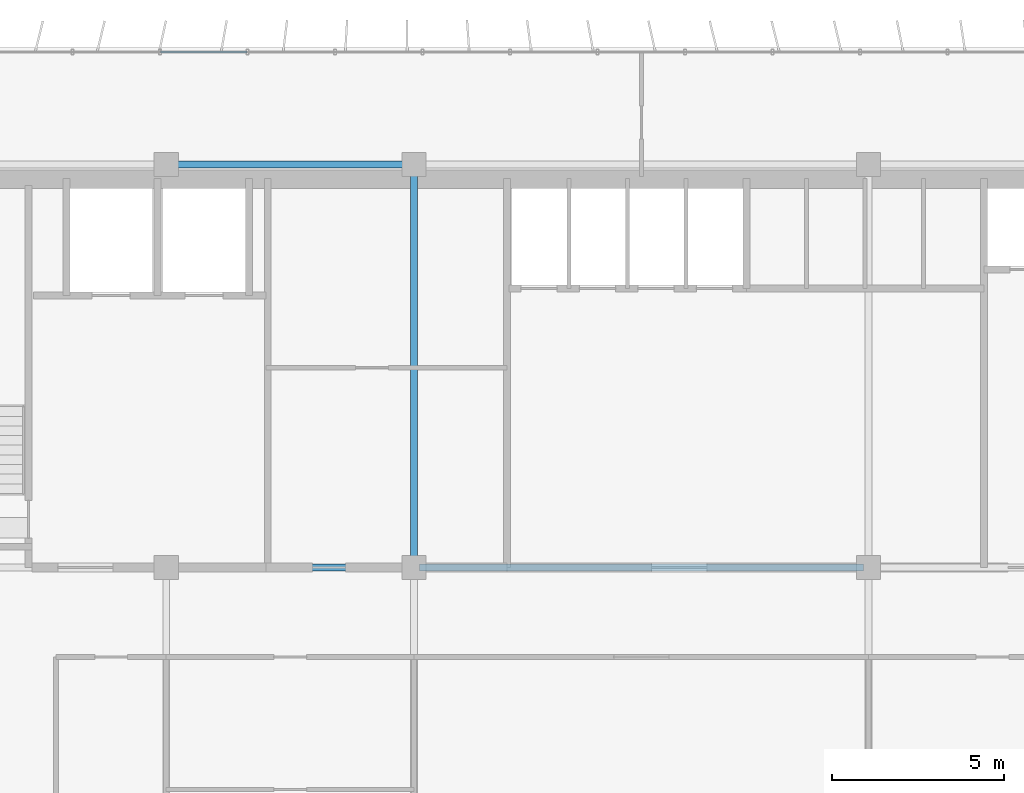
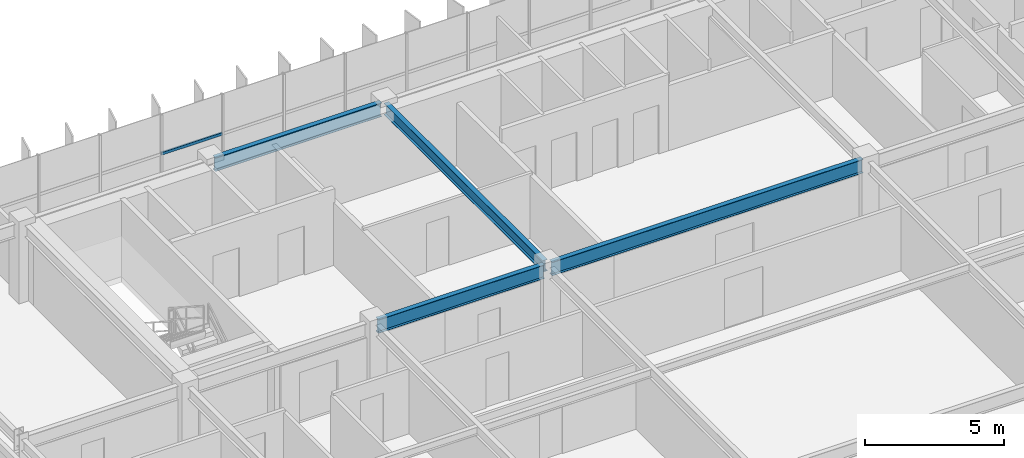
# One storey, part 5 of 20: 4 beams, 1 member, 1 element without a shape of its own.
"""IFC4 building model written with IfcOpenShell, lengths in metres."""

import ifcopenshell
import ifcopenshell.guid

model = None  # the IFC model being written
_history = None  # IfcOwnerHistory: only IFC2X3 demands one
_inside = {}  # id of a spatial element -> (the spatial element, [elements in it])
_under = {}  # id of a project, library or spatial element -> (it, [spatial elements below it])
_declared = {}  # id of a project -> (the project, [libraries it declares])
_typed = {}  # id of a type object -> (the type object, [elements of that type])
_made_of = {}  # id of a material, layer set ... -> (it, [elements and type objects made of it])


def new_model(schema):
    """Start an empty IFC model of exactly this schema.

    Asked for "IFC4X3", IfcOpenShell would pick the latest addendum, in which some entities
    have other attributes; the version numbers below select the first issue.
    IFC2X3 requires an IfcOwnerHistory on every rooted entity: one is made here for all.
    """
    global model, _history
    if schema == "IFC4X3":
        model = ifcopenshell.file(schema_version=(4, 3, 0, 0))
    else:
        model = ifcopenshell.file(schema=schema)
    _inside.clear()
    _under.clear()
    _declared.clear()
    _typed.clear()
    _made_of.clear()
    _history = None
    if model.schema == "IFC2X3":
        org = make("IfcOrganization", Name="unknown")
        user = make(
            "IfcPersonAndOrganization",
            ThePerson=make("IfcPerson", FamilyName="unknown"),
            TheOrganization=org,
        )
        app = make(
            "IfcApplication",
            ApplicationDeveloper=org,
            Version="unknown",
            ApplicationFullName="unknown",
            ApplicationIdentifier="unknown",
        )
        _history = make(
            "IfcOwnerHistory",
            OwningUser=user,
            OwningApplication=app,
            ChangeAction="ADDED",
            CreationDate=0,
        )
    return model


def make(cls, **values):
    """One entity of the class cls with the attributes given. An attribute that is None is left unset."""
    return model.create_entity(
        cls, **{name: value for name, value in values.items() if value is not None}
    )


def rooted(cls, **values):
    """An entity with a GlobalId (a new one), such as an element, a storey or a relation."""
    return make(cls, GlobalId=ifcopenshell.guid.new(), OwnerHistory=_history, **values)


def si_unit(unit_type, name, prefix=None):
    """IfcSIUnit, for example si_unit("LENGTHUNIT", "METRE", prefix="MILLI")."""
    return make("IfcSIUnit", UnitType=unit_type, Prefix=prefix, Name=name)


def assignment(units):
    """IfcUnitAssignment: the units of a project."""
    return None if units is None else make("IfcUnitAssignment", Units=units)


def point(xyz):
    """IfcCartesianPoint."""
    return None if xyz is None else make("IfcCartesianPoint", Coordinates=xyz)


def direction(xyz):
    """IfcDirection."""
    return None if xyz is None else make("IfcDirection", DirectionRatios=xyz)


def frame(location, z_axis=None, x_axis=None):
    """IfcAxis2Placement3D, a coordinate frame: its origin and axes. An axis left out is left unset."""
    return make(
        "IfcAxis2Placement3D",
        Location=point(location),
        Axis=direction(z_axis),
        RefDirection=direction(x_axis),
    )


def frame_2d(location, x_axis=None):
    """IfcAxis2Placement2D, a coordinate frame in the plane: its origin and x axis."""
    return make(
        "IfcAxis2Placement2D", Location=point(location), RefDirection=direction(x_axis)
    )


def origin():
    """The frame at (0, 0, 0) with its axes left unset."""
    return frame((0.0, 0.0, 0.0))


def origin_2d():
    """The frame at (0, 0) in the plane with its x axis left unset."""
    return frame_2d((0.0, 0.0))


def place(relative_to, where):
    """IfcLocalPlacement: puts the frame where relative to a parent placement (None: the world)."""
    return make(
        "IfcLocalPlacement", PlacementRelTo=relative_to, RelativePlacement=where
    )


def context(
    kind, dimensions, precision=None, world=None, true_north=None, identifier=None
):
    """IfcGeometricRepresentationContext, for example the 3D "Model" context."""
    return make(
        "IfcGeometricRepresentationContext",
        ContextIdentifier=identifier,
        ContextType=kind,
        CoordinateSpaceDimension=dimensions,
        Precision=precision,
        WorldCoordinateSystem=world,
        TrueNorth=true_north,
    )


def subcontext(parent, identifier, kind, view, scale=None):
    """IfcGeometricRepresentationSubContext, for example "Body" below "Model"."""
    return make(
        "IfcGeometricRepresentationSubContext",
        ContextIdentifier=identifier,
        ContextType=kind,
        ParentContext=parent,
        TargetScale=scale,
        TargetView=view,
    )


def project(units=None, contexts=None):
    """IfcProject with its units and contexts."""
    return rooted(
        "IfcProject",
        Name="project",
        RepresentationContexts=contexts,
        UnitsInContext=assignment(units),
    )


def spatial(cls, under=None, at=None, **own):
    """A site, building, storey or space (cls), placed at a placement, below another one or the project."""
    s = rooted(cls, ObjectPlacement=at, **own)
    if under is not None:
        _under.setdefault(under.id(), (under, []))[1].append(s)
    return s


def profile(cls, at=None, kind="AREA", **sizes):
    """A parametric profile (cls). Its sizes go by their IFC names, for example OverallWidth=200.0."""
    return make(cls, ProfileType=kind, Position=at, **sizes)


def hollow_rectangle(**sizes):
    """IfcRectangleHollowProfileDef."""
    return profile("IfcRectangleHollowProfileDef", **sizes)


def i_section(**sizes):
    """IfcIShapeProfileDef."""
    return profile("IfcIShapeProfileDef", **sizes)


def extrude(swept, where, along, depth):
    """IfcExtrudedAreaSolid: the profile swept, set in the frame where, extruded along a direction by depth."""
    return make(
        "IfcExtrudedAreaSolid",
        SweptArea=swept,
        Position=where,
        ExtrudedDirection=direction(along),
        Depth=depth,
    )


def shape(context_of_items, identifier, shape_type, items):
    """IfcShapeRepresentation: the items that make up one representation, for example the "Body"."""
    return make(
        "IfcShapeRepresentation",
        ContextOfItems=context_of_items,
        RepresentationIdentifier=identifier,
        RepresentationType=shape_type,
        Items=items,
    )


def source(mapping_origin, context_of_items, identifier, shape_type, items):
    """IfcRepresentationMap: a shape defined once, which mapped items show again and again."""
    return make(
        "IfcRepresentationMap",
        MappingOrigin=mapping_origin,
        MappedRepresentation=shape(context_of_items, identifier, shape_type, items),
    )


def transform(
    local_origin,
    x_axis=None,
    y_axis=None,
    z_axis=None,
    scale=None,
    scale2=None,
    scale3=None,
    uniform=True,
):
    """IfcCartesianTransformationOperator3D, or its non-uniform kind. x_axis, y_axis, z_axis: its Axis1, 2, 3."""
    if uniform:
        return make(
            "IfcCartesianTransformationOperator3D",
            Axis1=direction(x_axis),
            Axis2=direction(y_axis),
            LocalOrigin=point(local_origin),
            Scale=scale,
            Axis3=direction(z_axis),
        )
    return make(
        "IfcCartesianTransformationOperator3DnonUniform",
        Axis1=direction(x_axis),
        Axis2=direction(y_axis),
        LocalOrigin=point(local_origin),
        Scale=scale,
        Axis3=direction(z_axis),
        Scale2=scale2,
        Scale3=scale3,
    )


def mapped(mapping_source, mapping_target):
    """IfcMappedItem: shows the shape of a source again, moved by a transform."""
    return make(
        "IfcMappedItem", MappingSource=mapping_source, MappingTarget=mapping_target
    )


def material(Name=None, Category=None):
    """IfcMaterial."""
    return make("IfcMaterial", Name=Name, Category=Category)


def material_profile(
    of_material, cross_section, Name=None, Category=None, Priority=None
):
    """IfcMaterialProfile: a cross section and its material."""
    return make(
        "IfcMaterialProfile",
        Name=Name,
        Material=of_material,
        Profile=cross_section,
        Priority=Priority,
        Category=Category,
    )


def profile_set(profiles, Name=None, composite=None):
    """IfcMaterialProfileSet."""
    return make(
        "IfcMaterialProfileSet",
        Name=Name,
        MaterialProfiles=profiles,
        CompositeProfile=composite,
    )


def made_of(thing, what):
    """Note that an element or type object is made of a material, layer set ...; save() writes the relation."""
    if what is not None:
        _made_of.setdefault(what.id(), (what, []))[1].append(thing)
    return thing


def type_object(cls, material=None, **own):
    """A type object (cls), such as IfcWallType, which elements share."""
    return made_of(rooted(cls, **own), material)


def element(
    cls,
    number,
    at=None,
    inside=None,
    cuts=None,
    type_object=None,
    material=None,
    context=None,
    identifier="Body",
    shape_type=None,
    held_by="IfcProductDefinitionShape",
    body=None,
    shapes=None,
    **own,
):
    """One element of the class cls, such as IfcWall. Its Tag is "e" and its number.

    at: its placement. inside: the storey or other place that contains it. cuts: it is an
    opening in that element (IfcRelVoidsElement). A single representation is given by context,
    identifier, shape_type and body (its items); several are given by shapes. held_by: the class
    of the entity that holds the representations. save() writes the other relations.
    """
    e = rooted(cls, Tag="e%d" % number, ObjectPlacement=at, **own)
    if body is not None:
        shapes = [shape(context, identifier, shape_type, body)]
    if shapes is not None:
        e.Representation = make(held_by, Representations=shapes)
    if inside is not None:
        _inside.setdefault(inside.id(), (inside, []))[1].append(e)
    if cuts is not None:
        rooted(
            "IfcRelVoidsElement", RelatingBuildingElement=cuts, RelatedOpeningElement=e
        )
    if type_object is not None:
        _typed.setdefault(type_object.id(), (type_object, []))[1].append(e)
    return made_of(e, material)


def aggregate(whole, parts):
    """IfcRelAggregates: a whole, such as a stair, and the parts it consists of."""
    return rooted("IfcRelAggregates", RelatingObject=whole, RelatedObjects=parts)


def save(model, path):
    """Write the relations noted so far, then the file.

    IfcRelAggregates (storeys below a building ...), IfcRelContainedInSpatialStructure (elements
    in a storey), IfcRelDefinesByType, IfcRelAssociatesMaterial and IfcRelDeclares: one each for
    every whole, place, type object, material and project.
    """
    for whole, parts in _under.values():
        aggregate(whole, parts)
    for where, things in _inside.values():
        rooted(
            "IfcRelContainedInSpatialStructure",
            RelatedElements=things,
            RelatingStructure=where,
        )
    for kind, things in _typed.values():
        rooted("IfcRelDefinesByType", RelatedObjects=things, RelatingType=kind)
    for what, things in _made_of.values():
        rooted("IfcRelAssociatesMaterial", RelatedObjects=things, RelatingMaterial=what)
    for by, libraries in _declared.values():
        rooted("IfcRelDeclares", RelatingContext=by, RelatedDefinitions=libraries)
    model.write(path)


model = new_model("IFC4")

# Units and contexts
model_context = context("Model", 3, precision=1e-05, world=origin(), true_north=direction((0.0, 1.0)))
body_context = subcontext(model_context, "Body", "Model", "MODEL_VIEW")
ifc_project = project(units=[si_unit("LENGTHUNIT", "METRE"), si_unit("AREAUNIT", "SQUARE_METRE"), si_unit("VOLUMEUNIT", "CUBIC_METRE"), si_unit("PLANEANGLEUNIT", "RADIAN"), si_unit("MASSUNIT", "GRAM", prefix="KILO")], contexts=[model_context])

# Site, building, storey
site_placement = place(None, origin())
site = spatial("IfcSite", under=ifc_project, at=site_placement, CompositionType="ELEMENT")
building_placement = place(site_placement, origin())
building = spatial("IfcBuilding", under=site, at=building_placement, Name="Trelvane Seafront Commons", CompositionType="ELEMENT")
storey_placement = place(building_placement, frame((0.0, 0.0, 146.5)))
storey = spatial("IfcBuildingStorey", under=building, at=storey_placement, Name="L38", CompositionType="ELEMENT", Elevation=146.5)

# Beams
ifc_material_1 = material(Name="Steel SM355 (S355)", Category="steel")
ifc_material_profile_1 = material_profile(ifc_material_1, i_section(OverallWidth=0.199951171875, OverallDepth=0.5, WebThickness=0.010009765625, FlangeThickness=0.01611328125, at=origin_2d()), Name="H-500x200x10x16")
ifc_profile_set_1 = profile_set([ifc_material_profile_1], Name="Steel SM355 (S355)")
beam_type_1 = type_object("IfcBeamType", Name="STR-BM-H500", PredefinedType="BEAM", material=ifc_profile_set_1)
shared_shape_1 = source(origin(), body_context, "Body", "SweptSolid", [
    extrude(i_section(OverallWidth=0.199951171875, OverallDepth=0.5, WebThickness=0.010009765625, FlangeThickness=0.01611328125, at=origin_2d()), origin(), (0.0, 0.0, 1.0), 11.39990234375),
])
beam_1_placement = place(storey_placement, frame((30.60009765625, 33.550048828125, 3.10009765625), z_axis=(0.0, 1.0, 0.0), x_axis=(-1.0, 0.0, 0.0)))
element("IfcBeam", 1, at=beam_1_placement, inside=storey, type_object=beam_type_1, Name="L38 Primary Girder G-40", PredefinedType="BEAM", context=body_context, shape_type="MappedRepresentation", body=[
    mapped(shared_shape_1, transform((0.0, 0.0, 0.0), x_axis=(1.0, 0.0, 0.0), y_axis=(0.0, 1.0, 0.0), z_axis=(0.0, 0.0, 1.0), scale=1.0)),
])
ifc_material_profile_2 = material_profile(ifc_material_1, i_section(OverallWidth=0.199951171875, OverallDepth=0.60009765625, WebThickness=0.010986328125, FlangeThickness=0.01708984375, at=origin_2d()), Name="H-600x200x11x17")
ifc_profile_set_2 = profile_set([ifc_material_profile_2], Name="Steel SM355 (S355)")
beam_type_2 = type_object("IfcBeamType", Name="STR-SPD-H600", PredefinedType="SPANDREL", material=ifc_profile_set_2)
shared_shape_2 = source(origin(), body_context, "Body", "SweptSolid", [
    extrude(i_section(OverallWidth=0.199951171875, OverallDepth=0.60009765625, WebThickness=0.010986328125, FlangeThickness=0.01708984375, at=origin_2d()), origin(), (0.0, 0.0, 1.0), 12.89990234375),
])
beam_2_placement = place(storey_placement, frame((30.75, 33.39990234375, 3.050048828125), z_axis=(1.0, 0.0, 0.0), x_axis=(0.0, 1.0, 0.0)))
element("IfcBeam", 2, at=beam_2_placement, inside=storey, type_object=beam_type_2, Name="L38 Primary Girder G-18", PredefinedType="SPANDREL", context=body_context, shape_type="MappedRepresentation", body=[
    mapped(shared_shape_2, transform((0.0, 0.0, 0.0), x_axis=(1.0, 0.0, 0.0), y_axis=(0.0, 1.0, 0.0), z_axis=(0.0, 0.0, 1.0), scale=1.0)),
])
shared_shape_3 = source(origin(), body_context, "Body", "SweptSolid", [
    extrude(i_section(OverallWidth=0.199951171875, OverallDepth=0.60009765625, WebThickness=0.010986328125, FlangeThickness=0.01708984375, at=origin_2d()), origin(), (0.0, 0.0, 1.0), 6.89990234375),
])
for number, where, z_axis, x_axis, name in (
    (3, (23.550048828125, 33.39990234375, 3.050048828125), (1.0, 0.0, 0.0), (0.0, 1.0, 0.0), "L38 Primary Girder G-17"),
    (4, (23.550048828125, 45.10009765625, 3.050048828125), (1.0, 0.0, 0.0), (0.0, 1.0, 0.0), "L38 Primary Girder G-24"),
):
    element("IfcBeam", number, at=place(storey_placement, frame(where, z_axis=z_axis, x_axis=x_axis)), inside=storey, type_object=beam_type_2, Name=name, PredefinedType="SPANDREL", context=body_context, shape_type="MappedRepresentation", body=[
        mapped(shared_shape_3, transform((0.0, 0.0, 0.0), x_axis=(1.0, 0.0, 0.0), y_axis=(0.0, 1.0, 0.0), z_axis=(0.0, 0.0, 1.0), scale=1.0)),
    ])

# Curtain wall, member
ifc_material_2 = material(Name="Anodised pale-silver aluminium", Category="aluminium")
curtain_wall_type = type_object("IfcCurtainWallType", Name="ARCH-CW5-UPTOWER", PredefinedType="NOTDEFINED", material=ifc_material_2)
curtain_wall_placement = place(storey_placement, origin())
curtain_wall = element("IfcCurtainWall", 5, at=curtain_wall_placement, inside=storey, type_object=curtain_wall_type, Name="CW-L38-0065", PredefinedType="NOTDEFINED")
ifc_material_profile_3 = material_profile(ifc_material_2, hollow_rectangle(XDim=0.070068359375, YDim=0.1201171875, WallThickness=0.00390625, at=origin_2d()), Name="TRAN-70x120x4")
ifc_profile_set_3 = profile_set([ifc_material_profile_3], Name="Anodised pale-silver aluminium")
member_type = type_object("IfcMemberType", Name="ARCH-CW-TRAN-120", PredefinedType="USERDEFINED", material=ifc_profile_set_3)
shared_shape_4 = source(origin(), body_context, "Body", "SweptSolid", [
    extrude(hollow_rectangle(XDim=0.070068359375, YDim=0.1201171875, WallThickness=0.00390625, at=origin_2d()), origin(), (0.0, 0.0, 1.0), 2.51708984375),
])
member_placement = place(storey_placement, frame((23.235595703125, 48.3701171875, 1.60791015625), z_axis=(1.0, 0.0, 0.0), x_axis=(0.0, 1.0, 0.0)))
member = element("IfcMember", 6, at=member_placement, type_object=member_type, Name="CW-L38-0065-T03", ObjectType="TRANSOM", PredefinedType="USERDEFINED", context=body_context, shape_type="MappedRepresentation", body=[
    mapped(shared_shape_4, transform((0.0, 0.0, 0.0), x_axis=(1.0, 0.0, 0.0), y_axis=(0.0, 1.0, 0.0), z_axis=(0.0, 0.0, 1.0), scale=1.0)),
])
aggregate(curtain_wall, [member])

save(model, "model.ifc")
